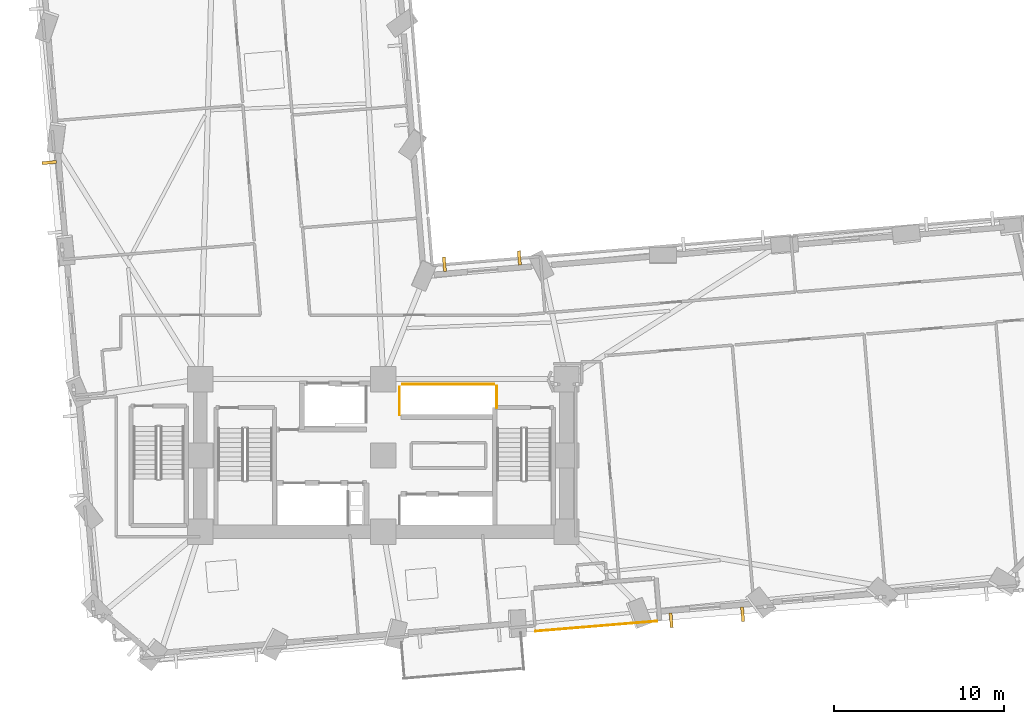
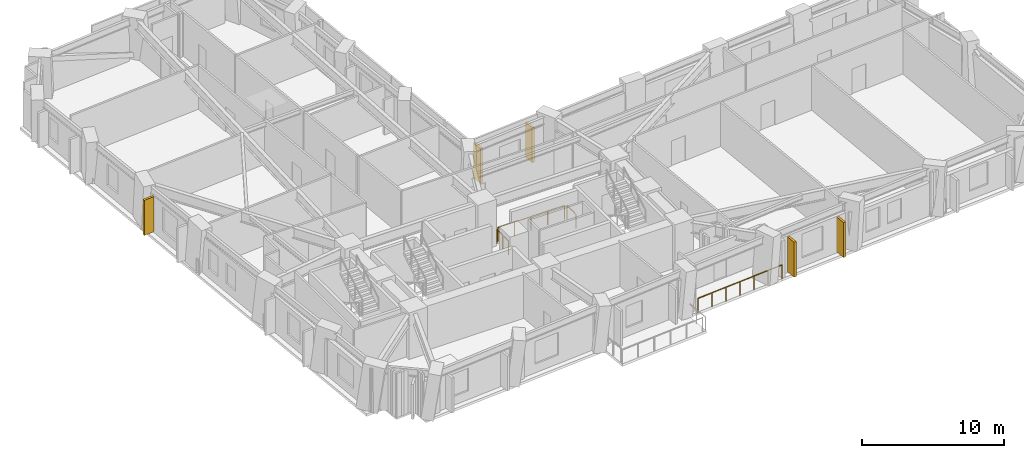
# One storey, part 12 of 14: 5 shading devices, 4 railings.
"""IFC4 building model written with IfcOpenShell, lengths in metres."""

from ifc_helpers import new_model, si_unit, direction, frame, origin, origin_2d, place, context, subcontext, project, spatial, rectangle, circle, extrude, material, layer, layer_set, type_object, element, save


model = new_model("IFC4")

# Units and contexts
model_context = context("Model", 3, precision=1e-05, world=origin(), true_north=direction((0.0, 1.0)))
body_context = subcontext(model_context, "Body", "Model", "MODEL_VIEW")
ifc_project = project(units=[si_unit("LENGTHUNIT", "METRE"), si_unit("AREAUNIT", "SQUARE_METRE"), si_unit("VOLUMEUNIT", "CUBIC_METRE"), si_unit("PLANEANGLEUNIT", "RADIAN"), si_unit("MASSUNIT", "GRAM", prefix="KILO")], contexts=[model_context])

# Site, building, storey
site_placement = place(None, origin())
site = spatial("IfcSite", under=ifc_project, at=site_placement, CompositionType="ELEMENT")
building_placement = place(site_placement, origin())
building = spatial("IfcBuilding", under=site, at=building_placement, Name="Gaonmaruhae Medical Tower", CompositionType="ELEMENT")
storey_placement = place(building_placement, frame((0.0, 0.0, 43.0)))
storey = spatial("IfcBuildingStorey", under=building, at=storey_placement, Name="L09", CompositionType="ELEMENT", Elevation=43.0)

# Railing
ifc_material_1 = material(Name="Stainless steel 316L and laminated safety glass", Category="steel")
ifc_layer = layer(ifc_material_1, 0.080078125)
ifc_layer_set = layer_set([ifc_layer], Name="Stainless steel 316L and laminated safety glass")
railing_type_1 = type_object("IfcRailingType", Name="GD-120 Outdoor Terrace Safety Glass & Steel Balustrade", PredefinedType="BALUSTRADE", material=ifc_layer_set)
railing_1_placement = place(storey_placement, frame((33.76904296875, 1.935546875, 0.0)))
element("IfcRailing", 1, at=railing_1_placement, inside=storey, type_object=railing_type_1, Name="L09 Terrace Safety Guard RL-SLB-L09-TER-01", PredefinedType="BALUSTRADE", context=body_context, shape_type="SweptSolid", body=[
    extrude(circle(Radius=0.02392578125, at=origin_2d()), frame((0.0, 0.0, 1.17578125), z_axis=(0.996565607666, 0.082806941846, 0.0), x_axis=(-0.082806941846, 0.996565607666, 0.0)), (0.0, 0.0, 1.0), 7.19970703125),
    extrude(circle(Radius=0.02099609375, at=origin_2d()), origin(), (0.0, 0.0, 1.0), 1.15185546875),
    extrude(circle(Radius=0.02099609375, at=origin_2d()), frame((1.19580078125, 0.099365234375, 0.0)), (0.0, 0.0, 1.0), 1.15185546875),
    extrude(circle(Radius=0.02099609375, at=origin_2d()), frame((2.3916015625, 0.19873046875, 0.0)), (0.0, 0.0, 1.0), 1.15185546875),
    extrude(circle(Radius=0.02099609375, at=origin_2d()), frame((3.58740234375, 0.298095703125, 0.0)), (0.0, 0.0, 1.0), 1.15185546875),
    extrude(circle(Radius=0.02099609375, at=origin_2d()), frame((4.783447265625, 0.3974609375, 0.0)), (0.0, 0.0, 1.0), 1.15185546875),
    extrude(circle(Radius=0.02099609375, at=origin_2d()), frame((5.979248046875, 0.496826171875, 0.0)), (0.0, 0.0, 1.0), 1.15185546875),
    extrude(circle(Radius=0.02099609375, at=origin_2d()), frame((7.175048828125, 0.59619140625, 0.0)), (0.0, 0.0, 1.0), 1.15185546875),
])

# Shading devices
ifc_material_2 = material(Name="Pigmented coral precast concrete C45/55", Category="concrete")
shading_device_type = type_object("IfcShadingDeviceType", Name="SD-FIN1 Tower Vertical Coral Precast Shading Fin", PredefinedType="USERDEFINED", material=ifc_material_2)
for number, where, z_axis, x_axis, name in (
    (2, (45.98681640625, 2.935546875, 0.072509765625), (0.0, 0.0, 1.0), (-0.996565502498, -0.082808207512, 0.0), "L09 Vertical Coral Precast Shading Fin S05"),
    (3, (41.772705078125, 2.58544921875, 0.072509765625), (0.0, 0.0, 1.0), (-0.996565502498, -0.082808207512, 0.0), "L09 Vertical Coral Precast Shading Fin S05B"),
    (4, (28.400390625, 23.580078125, 0.08251953125), (0.0, 0.0, 1.0), (0.996565502498, 0.082808207512, 0.0), "L09 Vertical Coral Precast Shading Fin EN04"),
    (5, (32.8212890625, 23.947509765625, 0.08251953125), (0.0, 0.0, 1.0), (0.996565502498, 0.082808207512, 0.0), "L09 Vertical Coral Precast Shading Fin EN04B"),
    (6, (5.091796875, 29.573486328125, 0.08251953125), (0.0, 0.0, 1.0), (-0.082808207512, 0.996565502498, 0.0), "L09 Vertical Coral Precast Shading Fin W03B"),
):
    element("IfcShadingDevice", number, at=place(storey_placement, frame(where, z_axis=z_axis, x_axis=x_axis)), inside=storey, type_object=shading_device_type, Name=name, ObjectType="FIN", PredefinedType="USERDEFINED", context=body_context, shape_type="SweptSolid", body=[
        extrude(rectangle(XDim=0.179931640625, YDim=0.85009765625, at=origin_2d()), origin(), (0.0, 0.0, 1.0), 3.0),
    ])

# Railings
ifc_material_3 = material(Name="Stainless steel 304 balustrade", Category="steel")
railing_type_2 = type_object("IfcRailingType", Name="SG-112 Stair Well & Ramp Void Safety Balustrade", PredefinedType="BALUSTRADE", material=ifc_material_3)
railing_2_placement = place(storey_placement, frame((31.4951171875, 16.405029296875, 0.0)))
element("IfcRailing", 7, at=railing_2_placement, inside=storey, type_object=railing_type_2, Name="L09 Shaft Edge Safety Guard 13", PredefinedType="BALUSTRADE", context=body_context, shape_type="SweptSolid", body=[
    extrude(circle(Radius=0.02392578125, at=origin_2d()), frame((0.0, 0.0, 1.17578125), z_axis=(0.0, -1.0, 0.0), x_axis=(1.0, 0.0, 0.0)), (0.0, 0.0, 1.0), 1.284912109375),
    extrude(circle(Radius=0.02099609375, at=origin_2d()), origin(), (0.0, 0.0, 1.0), 1.15185546875),
    extrude(circle(Radius=0.02099609375, at=origin_2d()), frame((0.0, -1.284912109375, 0.0)), (0.0, 0.0, 1.0), 1.15185546875),
])
railing_3_placement = place(storey_placement, frame((25.7548828125, 14.695068359375, 0.0)))
element("IfcRailing", 8, at=railing_3_placement, inside=storey, type_object=railing_type_2, Name="L09 Shaft Edge Safety Guard 14", PredefinedType="BALUSTRADE", context=body_context, shape_type="SweptSolid", body=[
    extrude(circle(Radius=0.02392578125, at=origin_2d()), frame((0.0, 0.0, 1.17578125), z_axis=(0.0, 1.0, 0.0), x_axis=(-1.0, 0.0, 0.0)), (0.0, 0.0, 1.0), 1.635009765625),
    extrude(circle(Radius=0.02099609375, at=origin_2d()), origin(), (0.0, 0.0, 1.0), 1.15185546875),
    extrude(circle(Radius=0.02099609375, at=origin_2d()), frame((0.0, 0.8173828125, 0.0)), (0.0, 0.0, 1.0), 1.15185546875),
    extrude(circle(Radius=0.02099609375, at=origin_2d()), frame((0.0, 1.635009765625, 0.0)), (0.0, 0.0, 1.0), 1.15185546875),
])
railing_4_placement = place(storey_placement, frame((25.919921875, 16.4951171875, 0.0)))
element("IfcRailing", 9, at=railing_4_placement, inside=storey, type_object=railing_type_2, Name="L09 Shaft Edge Safety Guard 15", PredefinedType="BALUSTRADE", context=body_context, shape_type="SweptSolid", body=[
    extrude(circle(Radius=0.02392578125, at=origin_2d()), frame((0.0, 0.0, 1.17578125), z_axis=(1.0, 0.0, 0.0), x_axis=(0.0, 1.0, 0.0)), (0.0, 0.0, 1.0), 5.41015625),
    extrude(circle(Radius=0.02099609375, at=origin_2d()), origin(), (0.0, 0.0, 1.0), 1.15185546875),
    extrude(circle(Radius=0.02099609375, at=origin_2d()), frame((1.3525390625, 0.0, 0.0)), (0.0, 0.0, 1.0), 1.15185546875),
    extrude(circle(Radius=0.02099609375, at=origin_2d()), frame((2.705078125, 0.0, 0.0)), (0.0, 0.0, 1.0), 1.15185546875),
    extrude(circle(Radius=0.02099609375, at=origin_2d()), frame((4.0576171875, 0.0, 0.0)), (0.0, 0.0, 1.0), 1.15185546875),
    extrude(circle(Radius=0.02099609375, at=origin_2d()), frame((5.41015625, 0.0, 0.0)), (0.0, 0.0, 1.0), 1.15185546875),
])

save(model, "model.ifc")
